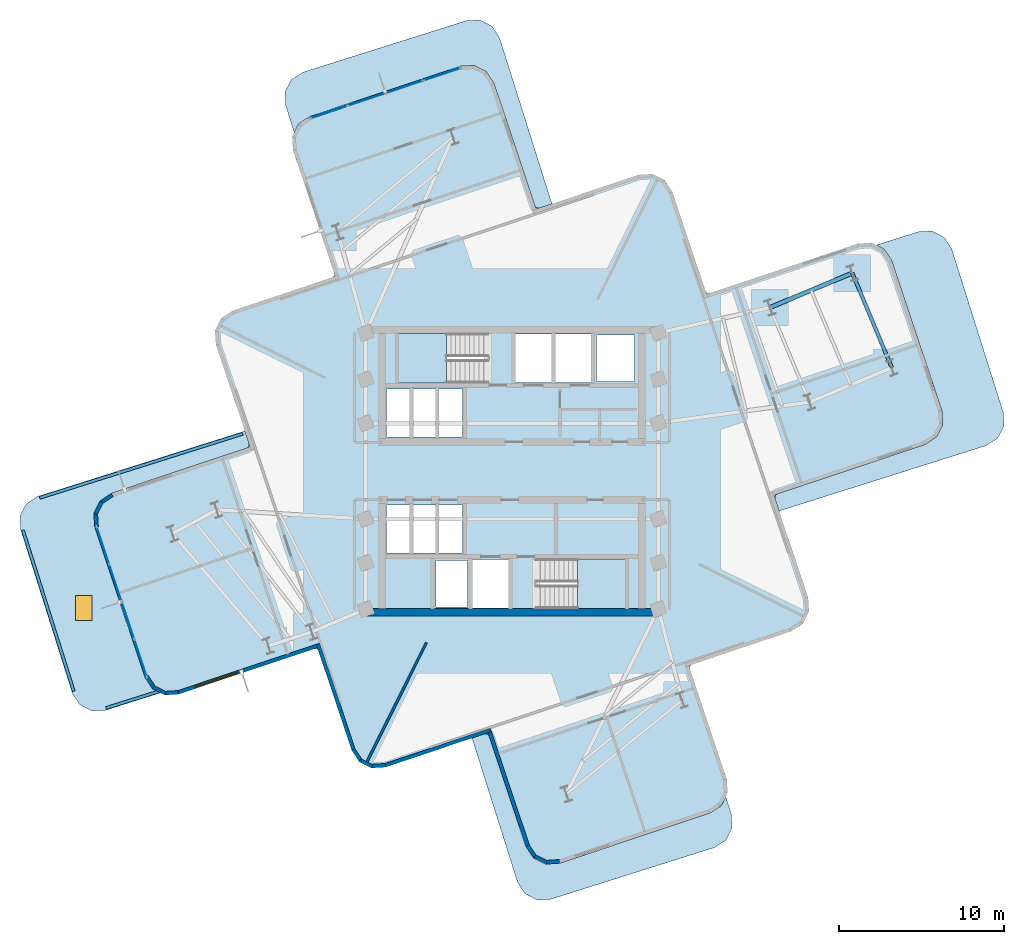
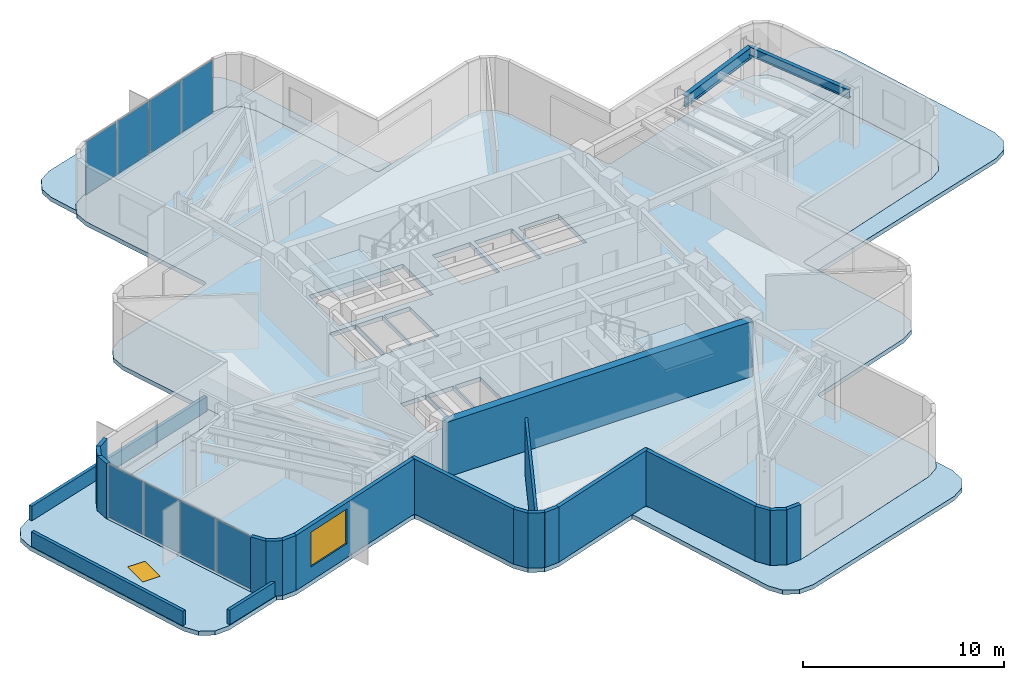
# One storey, part 5 of 11: 21 walls, 8 plates, 7 slabs, 2 beams, 2 windows, 2 openings, 4 elements without a shape of their own.
"""IFC4 building model written with IfcOpenShell, lengths in metres."""

from ifc_helpers import new_model, si_unit, direction, frame, frame_2d, origin, origin_2d, place, context, subcontext, project, spatial, polyline, rectangle, i_section, outline, extrude, material, layer, layer_set, material_profile, profile_set, type_object, element, fill, aggregate, save


model = new_model("IFC4")

# Units and contexts
model_context = context("Model", 3, precision=1e-05, world=origin(), true_north=direction((0.0, 1.0)))
body_context = subcontext(model_context, "Body", "Model", "MODEL_VIEW")
ifc_project = project(units=[si_unit("LENGTHUNIT", "METRE"), si_unit("AREAUNIT", "SQUARE_METRE"), si_unit("VOLUMEUNIT", "CUBIC_METRE"), si_unit("PLANEANGLEUNIT", "RADIAN"), si_unit("MASSUNIT", "GRAM", prefix="KILO")], contexts=[model_context])

# Site, building, storey
site_placement = place(None, origin())
site = spatial("IfcSite", under=ifc_project, at=site_placement, CompositionType="ELEMENT")
building_placement = place(site_placement, origin())
building = spatial("IfcBuilding", under=site, at=building_placement, Name="Solmarez Civic Tower", CompositionType="ELEMENT")
storey_placement = place(building_placement, frame((0.0, 0.0, 155.8798828125)))
storey = spatial("IfcBuildingStorey", under=building, at=storey_placement, Name="L41", CompositionType="ELEMENT", Elevation=155.8798828125)

# Beams
ifc_material_1 = material(Name="Steel S355", Category="steel")
ifc_material_profile_1 = material_profile(ifc_material_1, i_section(OverallWidth=0.25390625, OverallDepth=0.68798828125, WebThickness=0.01318359375, FlangeThickness=0.02099609375, at=origin_2d()), Name="W27X102")
ifc_profile_set_1 = profile_set([ifc_material_profile_1], Name="Steel S355")
beam_type_1 = type_object("IfcBeamType", Name="BM-PR-W27X102", PredefinedType="BEAM", material=ifc_profile_set_1)
beam_1_placement = place(storey_placement, frame((15.593994140625, 9.883056640625, 2.99609375), z_axis=(0.922538326171, 0.385905476438, 0.0), x_axis=(-0.385905476438, 0.922538326171, 0.0)))
element("IfcBeam", 1, at=beam_1_placement, inside=storey, type_object=beam_type_1, Name="L41 Primary Floor Beam BM-L41-EA-R2B", PredefinedType="BEAM", context=body_context, shape_type="SweptSolid", body=[
    extrude(i_section(OverallWidth=0.25390625, OverallDepth=0.68798828125, WebThickness=0.01318359375, FlangeThickness=0.02099609375, at=origin_2d()), origin(), (0.0, 0.0, 1.0), 5.400146484375),
])
ifc_material_profile_2 = material_profile(ifc_material_1, i_section(OverallWidth=0.2109375, OverallDepth=0.5390625, WebThickness=0.01171875, FlangeThickness=0.018798828125, at=origin_2d()), Name="W21X73")
ifc_profile_set_2 = profile_set([ifc_material_profile_2], Name="Steel S355")
beam_type_2 = type_object("IfcBeamType", Name="BM-SP-W21X73", PredefinedType="SPANDREL", material=ifc_profile_set_2)
beam_2_placement = place(storey_placement, frame((22.968017578125, 6.248046875, 3.071044921875), z_axis=(-0.385876218946, 0.922550564279, 0.0), x_axis=(-0.922550564279, -0.385876218946, 0.0)))
element("IfcBeam", 2, at=beam_2_placement, inside=storey, type_object=beam_type_2, Name="L41 Perimeter Spandrel Beam BM-L41-EA-T2", PredefinedType="SPANDREL", context=body_context, shape_type="SweptSolid", body=[
    extrude(i_section(OverallWidth=0.2109375, OverallDepth=0.5390625, WebThickness=0.01171875, FlangeThickness=0.018798828125, at=origin_2d()), origin(), (0.0, 0.0, 1.0), 6.19921875),
])

# Curtain wall, plates
ifc_material_2 = material(Name="Bronze Anodised Aluminium EN AW-6063 T6", Category="aluminium")
ifc_layer_1 = layer(ifc_material_2, 0.175048828125)
ifc_layer_set_1 = layer_set([ifc_layer_1], Name="Bronze Anodised Aluminium EN AW-6063 T6")
curtain_wall_type = type_object("IfcCurtainWallType", Name="CW-SYS-3", PredefinedType="NOTDEFINED", material=ifc_layer_set_1)
curtain_wall_1_placement = place(storey_placement, origin())
curtain_wall_1 = element("IfcCurtainWall", 3, at=curtain_wall_1_placement, inside=storey, type_object=curtain_wall_type, Name="L41 Stick-Built Curtain Wall 1", PredefinedType="NOTDEFINED")
ifc_material_3 = material(Name="Solar Control Low-E Laminated Vision Glass", Category="glass")
ifc_layer_2 = layer(ifc_material_3, 0.035888671875)
ifc_layer_set_2 = layer_set([ifc_layer_2], Name="Solar Control Low-E Laminated Vision Glass")
plate_type = type_object("IfcPlateType", Name="CWP-GLAZ-36", PredefinedType="CURTAIN_PANEL", material=ifc_layer_set_2)
plate_1_placement = place(storey_placement, frame((-22.4638671875, -11.303955078125, 0.06005859375), z_axis=(0.0, 0.0, 1.0), x_axis=(-0.317287618953, 0.948329355688, 0.0)))
plate_1 = element("IfcPlate", 4, at=plate_1_placement, type_object=plate_type, Name="CWS3 panel 1.1", PredefinedType="CURTAIN_PANEL", context=body_context, shape_type="SweptSolid", body=[
    extrude(rectangle(XDim=2.30810546875, YDim=0.035888671875, at=origin_2d()), origin(), (0.0, 0.0, 1.0), 3.219970703125),
])
plate_2_placement = place(storey_placement, frame((-23.221923828125, -9.0380859375, 0.06005859375), z_axis=(0.0, 0.0, 1.0), x_axis=(-0.317287618953, 0.948329355688, 0.0)))
plate_2 = element("IfcPlate", 5, at=plate_2_placement, type_object=plate_type, Name="CWS3 panel 2.1", PredefinedType="CURTAIN_PANEL", context=body_context, shape_type="SweptSolid", body=[
    extrude(rectangle(XDim=2.340576171875, YDim=0.035888671875, at=origin_2d()), origin(), (0.0, 0.0, 1.0), 3.219970703125),
])
plate_3_placement = place(storey_placement, frame((-23.985107421875, -6.7568359375, 0.06005859375), z_axis=(0.0, 0.0, 1.0), x_axis=(-0.317287618953, 0.948329355688, 0.0)))
plate_3 = element("IfcPlate", 6, at=plate_3_placement, type_object=plate_type, Name="CWS3 panel 3.1", PredefinedType="CURTAIN_PANEL", context=body_context, shape_type="SweptSolid", body=[
    extrude(rectangle(XDim=2.340576171875, YDim=0.035888671875, at=origin_2d()), origin(), (0.0, 0.0, 1.0), 3.219970703125),
])
plate_4_placement = place(storey_placement, frame((-24.7431640625, -4.490966796875, 0.06005859375), z_axis=(0.0, 0.0, 1.0), x_axis=(-0.317287618953, 0.948329355688, 0.0)))
plate_4 = element("IfcPlate", 7, at=plate_4_placement, type_object=plate_type, Name="CWS3 panel 4.1", PredefinedType="CURTAIN_PANEL", context=body_context, shape_type="SweptSolid", body=[
    extrude(rectangle(XDim=2.30810546875, YDim=0.035888671875, at=origin_2d()), origin(), (0.0, 0.0, 1.0), 3.219970703125),
])
aggregate(curtain_wall_1, [plate_1, plate_2, plate_3, plate_4])

curtain_wall_2_placement = place(storey_placement, origin())
curtain_wall_2 = element("IfcCurtainWall", 8, at=curtain_wall_2_placement, inside=storey, type_object=curtain_wall_type, Name="L41 Stick-Built Curtain Wall 2", PredefinedType="NOTDEFINED")
plate_5_placement = place(storey_placement, frame((-11.050048828125, 21.705810546875, 0.06005859375), z_axis=(0.0, 0.0, 1.0), x_axis=(0.948318891712, 0.317318892633, 0.0)))
plate_5 = element("IfcPlate", 9, at=plate_5_placement, type_object=plate_type, Name="CWS3 panel 1.1", PredefinedType="CURTAIN_PANEL", context=body_context, shape_type="SweptSolid", body=[
    extrude(rectangle(XDim=2.307861328125, YDim=0.035888671875, at=origin_2d()), origin(), (0.0, 0.0, 1.0), 3.219970703125),
])
plate_6_placement = place(storey_placement, frame((-8.784423828125, 22.4638671875, 0.06005859375), z_axis=(0.0, 0.0, 1.0), x_axis=(0.948318891712, 0.317318892633, 0.0)))
plate_6 = element("IfcPlate", 10, at=plate_6_placement, type_object=plate_type, Name="CWS3 panel 2.1", PredefinedType="CURTAIN_PANEL", context=body_context, shape_type="SweptSolid", body=[
    extrude(rectangle(XDim=2.34033203125, YDim=0.035888671875, at=origin_2d()), origin(), (0.0, 0.0, 1.0), 3.219970703125),
])
plate_7_placement = place(storey_placement, frame((-6.50341796875, 23.22705078125, 0.06005859375), z_axis=(0.0, 0.0, 1.0), x_axis=(0.948318891712, 0.317318892633, 0.0)))
plate_7 = element("IfcPlate", 11, at=plate_7_placement, type_object=plate_type, Name="CWS3 panel 3.1", PredefinedType="CURTAIN_PANEL", context=body_context, shape_type="SweptSolid", body=[
    extrude(rectangle(XDim=2.34033203125, YDim=0.035888671875, at=origin_2d()), origin(), (0.0, 0.0, 1.0), 3.219970703125),
])
plate_8_placement = place(storey_placement, frame((-4.23779296875, 23.985107421875, 0.06005859375), z_axis=(0.0, 0.0, 1.0), x_axis=(0.948318891712, 0.317318892633, 0.0)))
plate_8 = element("IfcPlate", 12, at=plate_8_placement, type_object=plate_type, Name="CWS3 panel 4.1", PredefinedType="CURTAIN_PANEL", context=body_context, shape_type="SweptSolid", body=[
    extrude(rectangle(XDim=2.307861328125, YDim=0.035888671875, at=origin_2d()), origin(), (0.0, 0.0, 1.0), 3.219970703125),
])
aggregate(curtain_wall_2, [plate_5, plate_6, plate_7, plate_8])

# Stair, slab
ifc_material_4 = material(Name="Concrete C50/60", Category="concrete")
stair_type = type_object("IfcStairType", Name="STAIR-DOGLEG-140W-20R-1800", PredefinedType="HALF_TURN_STAIR", material=ifc_material_4)
stair_1_placement = place(storey_placement, origin())
stair_1 = element("IfcStair", 13, at=stair_1_placement, inside=storey, type_object=stair_type, Name="L41 North Core Protected Exit Stair ST-1", PredefinedType="HALF_TURN_STAIR")
ifc_layer_3 = layer(ifc_material_4, 0.199951171875)
ifc_layer_set_3 = layer_set([ifc_layer_3], Name="Concrete C50/60")
slab_type_1 = type_object("IfcSlabType", Name="SLAB-LANDING-200", PredefinedType="LANDING", material=ifc_layer_set_3)
slab_1_placement = place(storey_placement, frame((0.0, 0.0, 1.60009765625)))
slab_1 = element("IfcSlab", 14, at=slab_1_placement, type_object=slab_type_1, Name="ST-1 landing 1", PredefinedType="LANDING", context=body_context, shape_type="SweptSolid", body=[
    extrude(outline(polyline([(-3.969970703125, 8.320068359375), (-6.85009765625, 8.320068359375), (-6.85009765625, 5.320068359375), (-3.969970703125, 5.320068359375), (-3.969970703125, 8.320068359375)])), origin(), (0.0, 0.0, 1.0), 0.199951171875),
])
aggregate(stair_1, [slab_1])

stair_2_placement = place(storey_placement, origin())
stair_2 = element("IfcStair", 15, at=stair_2_placement, inside=storey, type_object=stair_type, Name="L41 South Core Protected Exit Stair ST-2", PredefinedType="HALF_TURN_STAIR")
slab_2_placement = place(storey_placement, frame((0.0, 0.0, 1.60009765625)))
slab_2 = element("IfcSlab", 16, at=slab_2_placement, type_object=slab_type_1, Name="ST-2 landing 1", PredefinedType="LANDING", context=body_context, shape_type="SweptSolid", body=[
    extrude(outline(polyline([(3.969970703125, -8.320068359375), (6.85009765625, -8.320068359375), (6.85009765625, -5.320068359375), (3.969970703125, -5.320068359375), (3.969970703125, -8.320068359375)])), origin(), (0.0, 0.0, 1.0), 0.199951171875),
])
aggregate(stair_2, [slab_2])

# Slab, opening, window
ifc_layer_4 = layer(ifc_material_4, 0.25)
ifc_layer_set_4 = layer_set([ifc_layer_4], Name="Concrete C50/60")
slab_type_2 = type_object("IfcSlabType", Name="SLAB-ROOF-250", PredefinedType="ROOF", material=ifc_layer_set_4)
slab_3_placement = place(storey_placement, frame((0.0, 0.0, -0.259765625)))
slab_3 = element("IfcSlab", 17, at=slab_3_placement, inside=storey, type_object=slab_type_2, Name="L41 Setback Roof Slab 1", PredefinedType="ROOF", context=body_context, shape_type="SweptSolid", body=[
    extrude(outline(polyline([(-21.2451171875, -13.41796875), (-21.72998046875, -13.176025390625), (-22.18701171875, -12.485107421875), (-25.23291015625, -3.381103515625), (-25.283935546875, -2.552978515625), (-24.9130859375, -1.81103515625), (-24.221923828125, -1.35400390625), (-16.030029296875, 1.386962890625), (-15.886962890625, 1.48193359375), (-15.89794921875, 1.652099609375), (-16.160888671875, 2.43994140625), (-16.23388671875, 2.39404296875), (-28.6689453125, -1.531005859375), (-29.366943359375, -1.97705078125), (-29.7490234375, -2.7109375), (-29.712890625, -3.5390625), (-26.591064453125, -13.427978515625), (-26.14599609375, -14.1259765625), (-25.410888671875, -14.508056640625), (-24.583984375, -14.471923828125), (-21.2451171875, -13.41796875)])), origin(), (0.0, 0.0, 1.0), 0.259765625),
])
opening_1_placement = place(slab_3_placement, frame((-25.905029296875, -8.291015625, 0.0)))
opening_1 = element("IfcOpeningElement", 18, at=opening_1_placement, cuts=slab_3, Name="Opening SK-02", PredefinedType="OPENING", context=body_context, shape_type="SweptSolid", body=[
    extrude(rectangle(XDim=1.0, YDim=1.5, at=origin_2d()), frame((0.0, 0.0, -0.010009765625)), (0.0, 0.0, 1.0), 0.27978515625),
])
ifc_material_5 = material(Name="Solar Control Bronze-Tinted Insulating Glass", Category="glass")
window_type_1 = type_object("IfcWindowType", Name="SKY-1000X1500", PartitioningType="SINGLE_PANEL", PredefinedType="SKYLIGHT", material=ifc_material_5)
window_1_placement = place(opening_1_placement, frame((0.0, 0.0, 0.209716796875)))
window_1 = element("IfcWindow", 19, at=window_1_placement, inside=storey, type_object=window_type_1, Name="L41 Roof Maintenance Skylight Hatch", OverallHeight=1.5, OverallWidth=1.0, PartitioningType="SINGLE_PANEL", PredefinedType="SKYLIGHT", context=body_context, shape_type="SweptSolid", body=[
    extrude(rectangle(XDim=1.0, YDim=1.5, at=origin_2d()), origin(), (0.0, 0.0, 1.0), 0.050048828125),
])
fill(opening_1, window_1)

# Slabs
slab_4_placement = place(storey_placement, frame((0.0, 0.0, -0.259765625)))
element("IfcSlab", 20, at=slab_4_placement, inside=storey, type_object=slab_type_2, Name="L41 Setback Roof Slab 2", PredefinedType="ROOF", context=body_context, shape_type="SweptSolid", body=[
    extrude(outline(polyline([(22.02197265625, 13.6630859375), (22.488037109375, 13.429931640625), (22.946044921875, 12.739013671875), (25.991943359375, 3.635009765625), (26.0419921875, 2.806884765625), (25.672119140625, 2.06494140625), (24.98095703125, 1.60791015625), (16.030029296875, -1.386962890625), (15.886962890625, -1.48193359375), (15.89794921875, -1.652099609375), (16.160888671875, -2.43994140625), (16.23388671875, -2.39404296875), (28.6689453125, 1.531005859375), (29.366943359375, 1.97705078125), (29.7490234375, 2.7109375), (29.712890625, 3.5390625), (26.591064453125, 13.427978515625), (26.14599609375, 14.1259765625), (25.410888671875, 14.508056640625), (24.583984375, 14.471923828125), (22.02197265625, 13.6630859375)])), origin(), (0.0, 0.0, 1.0), 0.259765625),
])
slab_5_placement = place(storey_placement, frame((0.0, 0.0, -0.259765625)))
element("IfcSlab", 21, at=slab_5_placement, inside=storey, type_object=slab_type_2, Name="L41 Setback Roof Slab 3", PredefinedType="ROOF", context=body_context, shape_type="SweptSolid", body=[
    extrude(outline(polyline([(-13.173095703125, 20.468994140625), (-12.922119140625, 20.970947265625), (-12.23095703125, 21.427978515625), (-3.126953125, 24.47412109375), (-2.299072265625, 24.52490234375), (-1.556884765625, 24.155029296875), (-1.10009765625, 23.462890625), (1.386962890625, 16.030029296875), (1.48193359375, 15.886962890625), (1.652099609375, 15.89794921875), (2.43994140625, 16.160888671875), (2.39404296875, 16.23388671875), (-0.7490234375, 26.18896484375), (-1.194091796875, 26.887939453125), (-1.928955078125, 27.27001953125), (-2.756103515625, 27.23388671875), (-12.64501953125, 24.112060546875), (-13.343994140625, 23.6669921875), (-13.72607421875, 22.931884765625), (-13.68896484375, 22.10400390625), (-13.173095703125, 20.468994140625)])), origin(), (0.0, 0.0, 1.0), 0.259765625),
])
slab_6_placement = place(storey_placement, frame((0.0, 0.0, -0.259765625)))
element("IfcSlab", 22, at=slab_6_placement, inside=storey, type_object=slab_type_2, Name="L41 Setback Roof Slab 4", PredefinedType="ROOF", context=body_context, shape_type="SweptSolid", body=[
    extrude(outline(polyline([(12.927978515625, -19.693115234375), (12.6689453125, -20.2119140625), (11.97802734375, -20.669921875), (2.873046875, -23.716064453125), (2.044921875, -23.76611328125), (1.302978515625, -23.39599609375), (0.845947265625, -22.705078125), (-1.386962890625, -16.030029296875), (-1.48193359375, -15.886962890625), (-1.652099609375, -15.89794921875), (-2.43994140625, -16.160888671875), (-2.39404296875, -16.23388671875), (0.326904296875, -24.85400390625), (0.77294921875, -25.552978515625), (1.507080078125, -25.93505859375), (2.3349609375, -25.89892578125), (12.22412109375, -22.777099609375), (12.922119140625, -22.33203125), (13.303955078125, -21.596923828125), (13.26806640625, -20.76904296875), (12.927978515625, -19.693115234375)])), origin(), (0.0, 0.0, 1.0), 0.259765625),
])
ifc_layer_5 = layer(ifc_material_4, 0.260009765625)
ifc_layer_set_5 = layer_set([ifc_layer_5], Name="Concrete C50/60")
slab_type_3 = type_object("IfcSlabType", Name="SLAB-TOWER-260", PredefinedType="FLOOR", material=ifc_layer_set_5)
slab_7_placement = place(storey_placement, frame((0.0, 0.0, -0.259765625)))
element("IfcSlab", 23, at=slab_7_placement, inside=storey, type_object=slab_type_3, Name="L41 Structural Slab", PredefinedType="FLOOR", context=body_context, shape_type="SweptSolid", body=[
    extrude(outline(polyline([(-11.700927734375, -10.885986328125), (-9.68896484375, -16.89794921875), (-9.23193359375, -17.587890625), (-8.490966796875, -17.9580078125), (-7.6640625, -17.906982421875), (-1.652099609375, -15.89599609375), (-1.48095703125, -15.885009765625), (-1.385986328125, -16.029052734375), (0.847900390625, -22.7041015625), (1.304931640625, -23.39501953125), (2.0458984375, -23.763916015625), (2.873046875, -23.714111328125), (11.97705078125, -20.66796875), (12.66796875, -20.2109375), (13.037109375, -19.468994140625), (12.987060546875, -18.64306640625), (10.7529296875, -11.967041015625), (10.741943359375, -11.794921875), (10.885986328125, -11.700927734375), (16.89794921875, -9.68896484375), (17.587890625, -9.23193359375), (17.9580078125, -8.490966796875), (17.906982421875, -7.6640625), (15.89599609375, -1.652099609375), (15.885009765625, -1.48095703125), (16.029052734375, -1.385986328125), (24.97998046875, 1.610107421875), (25.6708984375, 2.06689453125), (26.0400390625, 2.80810546875), (25.989990234375, 3.635009765625), (22.944091796875, 12.738037109375), (22.487060546875, 13.428955078125), (21.7451171875, 13.799072265625), (20.9189453125, 13.748046875), (11.967041015625, 10.7529296875), (11.794921875, 10.741943359375), (11.700927734375, 10.885986328125), (9.68896484375, 16.89794921875), (9.23193359375, 17.587890625), (8.490966796875, 17.9580078125), (7.6640625, 17.906982421875), (1.652099609375, 15.89599609375), (1.48095703125, 15.885009765625), (1.385986328125, 16.029052734375), (-1.10205078125, 23.462890625), (-1.55908203125, 24.154052734375), (-2.300048828125, 24.52294921875), (-3.126953125, 24.471923828125), (-12.23095703125, 21.426025390625), (-12.9208984375, 20.968994140625), (-13.291015625, 20.22802734375), (-13.239990234375, 19.40087890625), (-10.7529296875, 11.967041015625), (-10.741943359375, 11.794921875), (-10.885986328125, 11.700927734375), (-16.89794921875, 9.68896484375), (-17.587890625, 9.23193359375), (-17.9580078125, 8.490966796875), (-17.906982421875, 7.6640625), (-15.89599609375, 1.652099609375), (-15.885009765625, 1.48095703125), (-16.029052734375, 1.385986328125), (-24.221923828125, -1.35595703125), (-24.912109375, -1.81298828125), (-25.281982421875, -2.553955078125), (-25.23095703125, -3.381103515625), (-22.18505859375, -12.485107421875), (-21.72802734375, -13.175048828125), (-20.987060546875, -13.544921875), (-20.159912109375, -13.493896484375), (-11.967041015625, -10.7529296875), (-11.794921875, -10.741943359375), (-11.700927734375, -10.885986328125)]), holes=[polyline([(-1.449951171875, 8.320068359375), (-6.85009765625, 8.320068359375), (-6.85009765625, 5.320068359375), (-1.449951171875, 5.320068359375), (-1.449951171875, 8.320068359375)]), polyline([(1.449951171875, -8.320068359375), (6.85009765625, -8.320068359375), (6.85009765625, -5.320068359375), (1.449951171875, -5.320068359375), (1.449951171875, -8.320068359375)]), polyline([(0.219970703125, 5.360107421875), (2.3798828125, 5.360107421875), (2.3798828125, 8.280029296875), (0.219970703125, 8.280029296875), (0.219970703125, 5.360107421875)]), polyline([(2.6201171875, 5.360107421875), (4.780029296875, 5.360107421875), (4.780029296875, 8.280029296875), (2.6201171875, 8.280029296875), (2.6201171875, 5.360107421875)]), polyline([(-2.3798828125, -8.280029296875), (-0.219970703125, -8.280029296875), (-0.219970703125, -5.360107421875), (-2.3798828125, -5.360107421875), (-2.3798828125, -8.280029296875)]), polyline([(-7.60009765625, -4.9599609375), (-6.1201171875, -4.9599609375), (-6.1201171875, -2.06005859375), (-7.60009765625, -2.06005859375), (-7.60009765625, -4.9599609375)]), polyline([(-6.0400390625, -4.9599609375), (-4.56005859375, -4.9599609375), (-4.56005859375, -2.06005859375), (-6.0400390625, -2.06005859375), (-6.0400390625, -4.9599609375)]), polyline([(-4.47998046875, -4.9599609375), (-3.0, -4.9599609375), (-3.0, -2.06005859375), (-4.47998046875, -2.06005859375), (-4.47998046875, -4.9599609375)]), polyline([(-7.60009765625, 2.06005859375), (-6.1201171875, 2.06005859375), (-6.1201171875, 4.9599609375), (-7.60009765625, 4.9599609375), (-7.60009765625, 2.06005859375)]), polyline([(-6.0400390625, 2.06005859375), (-4.56005859375, 2.06005859375), (-4.56005859375, 4.9599609375), (-6.0400390625, 4.9599609375), (-6.0400390625, 2.06005859375)]), polyline([(-4.47998046875, 2.06005859375), (-3.0, 2.06005859375), (-3.0, 4.9599609375), (-4.47998046875, 4.9599609375), (-4.47998046875, 2.06005859375)]), polyline([(5.10009765625, 5.419921875), (7.39990234375, 5.419921875), (7.39990234375, 8.219970703125), (5.10009765625, 8.219970703125), (5.10009765625, 5.419921875)]), polyline([(-4.60009765625, -8.219970703125), (-2.699951171875, -8.219970703125), (-2.699951171875, -5.419921875), (-4.60009765625, -5.419921875), (-4.60009765625, -8.219970703125)])]), origin(), (0.0, 0.0, 1.0), 0.259765625),
])

# Wall
ifc_layer_6 = layer(ifc_material_4, 0.449951171875)
ifc_layer_set_6 = layer_set([ifc_layer_6], Name="Concrete C50/60")
wall_type_1 = type_object("IfcWallType", Name="WALL-CORE-450", PredefinedType="SHEAR", material=ifc_layer_set_6)
wall_1_placement = place(storey_placement, frame((8.780029296875, -8.534912109375, 0.0), z_axis=(0.0, 0.0, 1.0), x_axis=(-1.0, 0.0, 0.0)))
element("IfcWall", 24, at=wall_1_placement, inside=storey, type_object=wall_type_1, Name="L41 Split-Core Structural Wall SCW-S-L41", PredefinedType="SHEAR", context=body_context, shape_type="SweptSolid", body=[
    extrude(rectangle(XDim=17.56005859375, YDim=0.449951171875, at=frame_2d((8.780029296875, 0.0))), origin(), (0.0, 0.0, 1.0), 3.340087890625),
])

# Wall, opening, window
ifc_material_6 = material(Name="Precast concrete C40/50", Category="concrete")
ifc_layer_7 = layer(ifc_material_6, 0.219970703125)
ifc_layer_set_7 = layer_set([ifc_layer_7], Name="Precast concrete C40/50")
wall_type_2 = type_object("IfcWallType", Name="WALL-EXT-220", PredefinedType="SOLIDWALL", material=ifc_layer_set_7)
wall_2_placement = place(storey_placement, frame((-11.614990234375, -10.51904296875, 0.0), z_axis=(0.0, 0.0, 1.0), x_axis=(-0.948329626758, -0.317286808759, 0.0)))
wall_2 = element("IfcWall", 25, at=wall_2_placement, inside=storey, type_object=wall_type_2, Name="L41 Exterior Precast Wall 2", PredefinedType="SOLIDWALL", context=body_context, shape_type="SweptSolid", body=[
    extrude(rectangle(XDim=9.05810546875, YDim=0.219970703125, at=frame_2d((4.529052734375, 0.0))), origin(), (0.0, 0.0, 1.0), 3.340087890625),
])
opening_2_placement = place(wall_2_placement, frame((5.258056640625, 0.0, 0.85009765625)))
opening_2 = element("IfcOpeningElement", 26, at=opening_2_placement, cuts=wall_2, Name="Opening W-01", PredefinedType="OPENING", context=body_context, shape_type="SweptSolid", body=[
    extrude(rectangle(XDim=2.699951171875, YDim=2.10009765625, at=frame_2d((1.35009765625, 1.050048828125))), frame((0.0, 0.119873046875, 0.0), z_axis=(0.0, -1.0, 0.0), x_axis=(1.0, 0.0, 0.0)), (0.0, 0.0, 1.0), 0.239990234375),
])
window_type_2 = type_object("IfcWindowType", Name="WIN-2700X2100", PartitioningType="SINGLE_PANEL", PredefinedType="WINDOW", material=ifc_material_5)
window_2_placement = place(opening_2_placement, origin())
window_2 = element("IfcWindow", 27, at=window_2_placement, inside=storey, type_object=window_type_2, Name="L41 Exterior Facade Window 2", OverallHeight=2.10009765625, OverallWidth=2.699951171875, PartitioningType="SINGLE_PANEL", PredefinedType="WINDOW", context=body_context, shape_type="SweptSolid", body=[
    extrude(rectangle(XDim=2.699951171875, YDim=2.10009765625, at=frame_2d((1.35009765625, 1.050048828125))), frame((0.0, 0.030029296875, 0.0), z_axis=(0.0, -1.0, 0.0), x_axis=(1.0, 0.0, 0.0)), (0.0, 0.0, 1.0), 0.06005859375),
])
fill(opening_2, window_2)

# Walls
wall_3_placement = place(storey_placement, frame((-20.156005859375, -13.383056640625, 0.0), z_axis=(0.0, 0.0, 1.0), x_axis=(-0.998057128569, -0.062305442082, 0.0)))
element("IfcWall", 28, at=wall_3_placement, inside=storey, type_object=wall_type_2, Name="L41 Exterior Precast Wall 3", PredefinedType="SOLIDWALL", context=body_context, shape_type="SweptSolid", body=[
    extrude(rectangle(XDim=0.834716796875, YDim=0.219970703125, at=frame_2d((0.41748046875, 0.0))), origin(), (0.0, 0.0, 1.0), 3.340087890625),
])
wall_4_placement = place(storey_placement, frame((-20.94189453125, -13.444091796875, 0.0), z_axis=(0.0, 0.0, 1.0), x_axis=(-0.894963703084, 0.446138958356, 0.0)))
element("IfcWall", 29, at=wall_4_placement, inside=storey, type_object=wall_type_2, Name="L41 Exterior Precast Wall 4", PredefinedType="SOLIDWALL", context=body_context, shape_type="SweptSolid", body=[
    extrude(rectangle(XDim=0.818115234375, YDim=0.219970703125, at=frame_2d((0.4091796875, 0.0))), origin(), (0.0, 0.0, 1.0), 3.340087890625),
])
wall_5_placement = place(storey_placement, frame((-21.637939453125, -13.111083984375, 0.0), z_axis=(0.0, 0.0, 1.0), x_axis=(-0.552336300706, 0.833621383437, 0.0)))
element("IfcWall", 30, at=wall_5_placement, inside=storey, type_object=wall_type_2, Name="L41 Exterior Precast Wall 5", PredefinedType="SOLIDWALL", context=body_context, shape_type="SweptSolid", body=[
    extrude(rectangle(XDim=0.8349609375, YDim=0.219970703125, at=frame_2d((0.41748046875, 0.0))), origin(), (0.0, 0.0, 1.0), 3.340087890625),
])
wall_6_placement = place(storey_placement, frame((-25.1201171875, -3.384033203125, 0.0), z_axis=(0.0, 0.0, 1.0), x_axis=(-0.062378286155, 0.998052578483, 0.0)))
element("IfcWall", 31, at=wall_6_placement, inside=storey, type_object=wall_type_2, Name="L41 Exterior Precast Wall 7", PredefinedType="SOLIDWALL", context=body_context, shape_type="SweptSolid", body=[
    extrude(rectangle(XDim=0.833740234375, YDim=0.219970703125, at=frame_2d((0.4169921875, 0.0))), origin(), (0.0, 0.0, 1.0), 3.340087890625),
])
wall_7_placement = place(storey_placement, frame((-25.180908203125, -2.59912109375, 0.0), z_axis=(0.0, 0.0, 1.0), x_axis=(0.445662792415, 0.895200913459, 0.0)))
element("IfcWall", 32, at=wall_7_placement, inside=storey, type_object=wall_type_2, Name="L41 Exterior Precast Wall 8", PredefinedType="SOLIDWALL", context=body_context, shape_type="SweptSolid", body=[
    extrude(rectangle(XDim=0.819091796875, YDim=0.219970703125, at=frame_2d((0.40966796875, 0.0))), origin(), (0.0, 0.0, 1.0), 3.340087890625),
])
for number, where, z_axis, x_axis, name in (
    (33, (-24.847900390625, -1.902099609375, 0.0), (0.0, 0.0, 1.0), (0.833532147948, 0.552470957008, 0.0), "L41 Exterior Precast Wall 9"),
    (34, (2.876953125, -23.60302734375, 0.0), (0.0, 0.0, 1.0), (-0.998057128569, -0.062305442082, 0.0), "L41 Exterior Precast Wall 61"),
):
    element("IfcWall", number, at=place(storey_placement, frame(where, z_axis=z_axis, x_axis=x_axis)), inside=storey, type_object=wall_type_2, Name=name, PredefinedType="SOLIDWALL", context=body_context, shape_type="SweptSolid", body=[
        extrude(rectangle(XDim=0.834716796875, YDim=0.219970703125, at=frame_2d((0.41748046875, 0.0))), origin(), (0.0, 0.0, 1.0), 3.340087890625),
    ])
wall_8_placement = place(storey_placement, frame((2.091064453125, -23.6640625, 0.0), z_axis=(0.0, 0.0, 1.0), x_axis=(-0.894963703084, 0.446138958356, 0.0)))
element("IfcWall", 35, at=wall_8_placement, inside=storey, type_object=wall_type_2, Name="L41 Exterior Precast Wall 62", PredefinedType="SOLIDWALL", context=body_context, shape_type="SweptSolid", body=[
    extrude(rectangle(XDim=0.818115234375, YDim=0.219970703125, at=frame_2d((0.4091796875, 0.0))), origin(), (0.0, 0.0, 1.0), 3.340087890625),
])
wall_9_placement = place(storey_placement, frame((1.39501953125, -23.3310546875, 0.0), z_axis=(0.0, 0.0, 1.0), x_axis=(-0.552133058206, 0.833756011094, 0.0)))
element("IfcWall", 36, at=wall_9_placement, inside=storey, type_object=wall_type_2, Name="L41 Exterior Precast Wall 63", PredefinedType="SOLIDWALL", context=body_context, shape_type="SweptSolid", body=[
    extrude(rectangle(XDim=0.834716796875, YDim=0.219970703125, at=frame_2d((0.41748046875, 0.0))), origin(), (0.0, 0.0, 1.0), 3.340087890625),
])
wall_10_placement = place(storey_placement, frame((0.9560546875, -22.679931640625, 0.0), z_axis=(0.0, 0.0, 1.0), x_axis=(-0.317347016501, 0.948309480664, 0.0)))
element("IfcWall", 37, at=wall_10_placement, inside=storey, type_object=wall_type_2, Name="L41 Exterior Precast Wall 64", PredefinedType="SOLIDWALL", context=body_context, shape_type="SweptSolid", body=[
    extrude(rectangle(XDim=7.45849609375, YDim=0.219970703125, at=frame_2d((3.729248046875, 0.0))), origin(), (0.0, 0.0, 1.0), 3.340087890625),
])
wall_11_placement = place(storey_placement, frame((-1.300048828125, -15.662109375, 0.0), z_axis=(0.0, 0.0, 1.0), x_axis=(-0.948350412494, -0.317224676093, 0.0)))
element("IfcWall", 38, at=wall_11_placement, inside=storey, type_object=wall_type_2, Name="L41 Exterior Precast Wall 67", PredefinedType="SOLIDWALL", context=body_context, shape_type="SweptSolid", body=[
    extrude(rectangle(XDim=6.758056640625, YDim=0.219970703125, at=frame_2d((3.37890625, 0.0))), origin(), (0.0, 0.0, 1.0), 3.340087890625),
])
wall_12_placement = place(storey_placement, frame((-7.659912109375, -17.7958984375, 0.0), z_axis=(0.0, 0.0, 1.0), x_axis=(-0.998057128569, -0.062305442082, 0.0)))
element("IfcWall", 39, at=wall_12_placement, inside=storey, type_object=wall_type_2, Name="L41 Exterior Precast Wall 68", PredefinedType="SOLIDWALL", context=body_context, shape_type="SweptSolid", body=[
    extrude(rectangle(XDim=0.834716796875, YDim=0.219970703125, at=frame_2d((0.41748046875, 0.0))), origin(), (0.0, 0.0, 1.0), 3.340087890625),
])
wall_13_placement = place(storey_placement, frame((-8.446044921875, -17.85693359375, 0.0), z_axis=(0.0, 0.0, 1.0), x_axis=(-0.894904281631, 0.446258139106, 0.0)))
element("IfcWall", 40, at=wall_13_placement, inside=storey, type_object=wall_type_2, Name="L41 Exterior Precast Wall 69", PredefinedType="SOLIDWALL", context=body_context, shape_type="SweptSolid", body=[
    extrude(rectangle(XDim=0.81787109375, YDim=0.219970703125, at=frame_2d((0.408935546875, 0.0))), origin(), (0.0, 0.0, 1.0), 3.340087890625),
])
wall_14_placement = place(storey_placement, frame((-9.14208984375, -17.52392578125, 0.0), z_axis=(0.0, 0.0, 1.0), x_axis=(-0.552133058206, 0.833756011094, 0.0)))
element("IfcWall", 41, at=wall_14_placement, inside=storey, type_object=wall_type_2, Name="L41 Exterior Precast Wall 70", PredefinedType="SOLIDWALL", context=body_context, shape_type="SweptSolid", body=[
    extrude(rectangle(XDim=0.834716796875, YDim=0.219970703125, at=frame_2d((0.41748046875, 0.0))), origin(), (0.0, 0.0, 1.0), 3.340087890625),
])
wall_15_placement = place(storey_placement, frame((-9.5810546875, -16.873046875, 0.0), z_axis=(0.0, 0.0, 1.0), x_axis=(-0.317387116224, 0.94829606055, 0.0)))
element("IfcWall", 42, at=wall_15_placement, inside=storey, type_object=wall_type_2, Name="L41 Exterior Precast Wall 71", PredefinedType="SOLIDWALL", context=body_context, shape_type="SweptSolid", body=[
    extrude(rectangle(XDim=6.75830078125, YDim=0.219970703125, at=frame_2d((3.379150390625, 0.0))), origin(), (0.0, 0.0, 1.0), 3.340087890625),
])
ifc_material_7 = material(Name="Gypsum Board Acoustic Steel-Stud Partition", Category="steel")
ifc_layer_8 = layer(ifc_material_7, 0.14501953125)
ifc_layer_set_8 = layer_set([ifc_layer_8], Name="Gypsum Board Acoustic Steel-Stud Partition")
wall_type_3 = type_object("IfcWallType", Name="WALL-INT-PART-150", PredefinedType="PARTITIONING", material=ifc_layer_set_8)
wall_16_placement = place(storey_placement, frame((-5.176025390625, -10.3798828125, 0.0), z_axis=(0.0, 0.0, 1.0), x_axis=(-0.446173290391, -0.894946587759, 0.0)))
element("IfcWall", 43, at=wall_16_placement, inside=storey, type_object=wall_type_3, Name="L41 Interior Partition PT-L41-QDIV-3", PredefinedType="PARTITIONING", context=body_context, shape_type="SweptSolid", body=[
    extrude(rectangle(XDim=8.075439453125, YDim=0.14501953125, at=frame_2d((4.03759765625, 0.0))), origin(), (0.0, 0.0, 1.0), 3.340087890625),
])
ifc_layer_9 = layer(ifc_material_6, 0.179931640625)
ifc_layer_set_9 = layer_set([ifc_layer_9], Name="Precast concrete C40/50")
wall_type_4 = type_object("IfcWallType", Name="WALL-PARAPET-180", PredefinedType="PARAPET", material=ifc_layer_set_9)
wall_17_placement = place(storey_placement, frame((-16.27392578125, 2.2548828125, 0.0), z_axis=(0.0, 0.0, 1.0), x_axis=(-0.953646241079, -0.300929970054, 0.0)))
element("IfcWall", 44, at=wall_17_placement, inside=storey, type_object=wall_type_4, Name="L41 Roof Perimeter Parapet 12", PredefinedType="PARAPET", context=body_context, shape_type="SweptSolid", body=[
    extrude(rectangle(XDim=12.8798828125, YDim=0.179931640625, at=frame_2d((6.43994140625, 0.0))), origin(), (0.0, 0.0, 1.0), 0.880126953125),
])
wall_18_placement = place(storey_placement, frame((-29.573974609375, -3.5791015625, 0.0), z_axis=(0.0, 0.0, 1.0), x_axis=(0.300972295981, -0.953632883793, 0.0)))
element("IfcWall", 45, at=wall_18_placement, inside=storey, type_object=wall_type_4, Name="L41 Roof Perimeter Parapet 16", PredefinedType="PARAPET", context=body_context, shape_type="SweptSolid", body=[
    extrude(rectangle(XDim=10.210205078125, YDim=0.179931640625, at=frame_2d((5.10498046875, 0.0))), origin(), (0.0, 0.0, 1.0), 0.880126953125),
])
wall_19_placement = place(storey_placement, frame((-24.5439453125, -14.3330078125, 0.0), z_axis=(0.0, 0.0, 1.0), x_axis=(0.953694118422, 0.300778204807, 0.0)))
element("IfcWall", 46, at=wall_19_placement, inside=storey, type_object=wall_type_4, Name="L41 Roof Perimeter Parapet 20", PredefinedType="PARAPET", context=body_context, shape_type="SweptSolid", body=[
    extrude(rectangle(XDim=3.341796875, YDim=0.179931640625, at=frame_2d((1.6708984375, 0.0))), origin(), (0.0, 0.0, 1.0), 0.880126953125),
])

save(model, "model.ifc")
